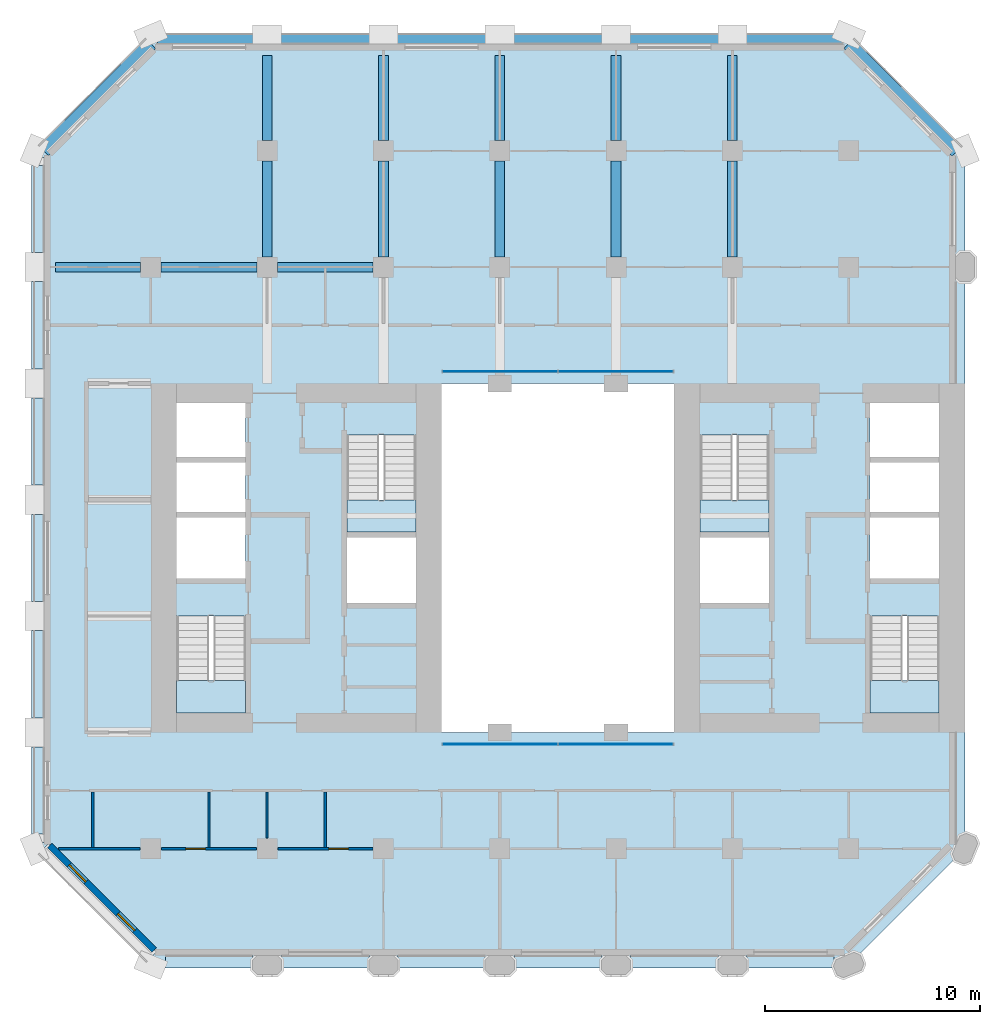
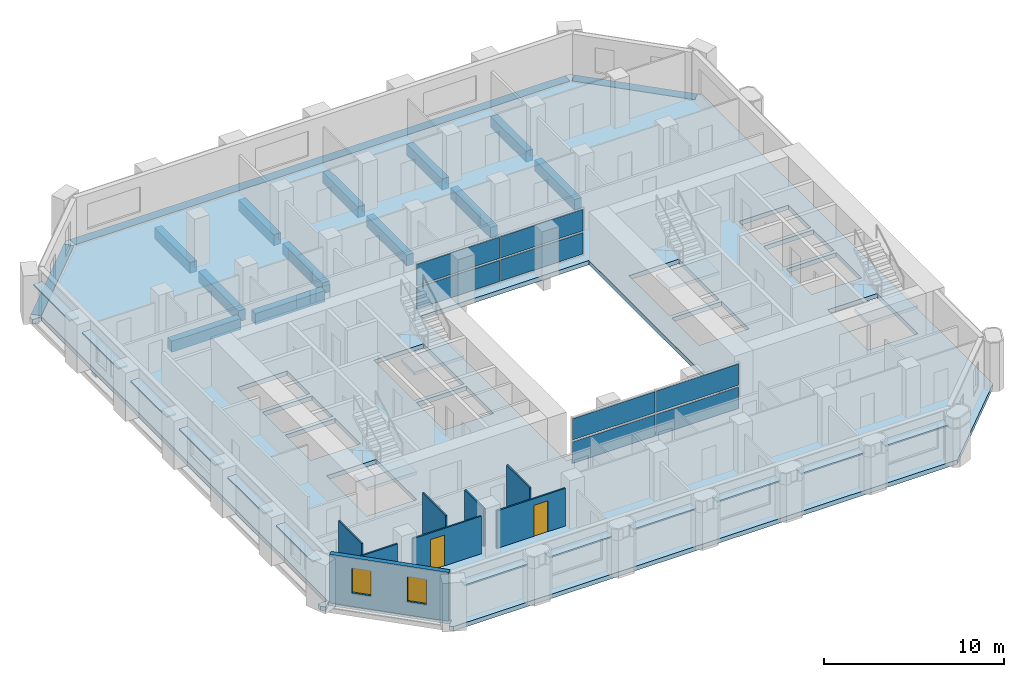
# One storey, part 5 of 13: 20 plates, 16 beams, 8 walls, 5 slabs, 2 doors, 2 windows, 4 openings, 6 elements without a shape of their own.
"""IFC4 building model written with IfcOpenShell, lengths in metres."""

from ifc_helpers import new_model, si_unit, direction, frame, frame_2d, origin, origin_2d, place, context, subcontext, project, spatial, polyline, rectangle, outline, extrude, material, layer, layer_set, material_profile, profile_set, type_object, element, fill, aggregate, save


model = new_model("IFC4")

# Units and contexts
model_context = context("Model", 3, precision=1e-05, world=origin(), true_north=direction((0.0, 1.0)))
body_context = subcontext(model_context, "Body", "Model", "MODEL_VIEW")
ifc_project = project(units=[si_unit("LENGTHUNIT", "METRE"), si_unit("AREAUNIT", "SQUARE_METRE"), si_unit("VOLUMEUNIT", "CUBIC_METRE"), si_unit("PLANEANGLEUNIT", "RADIAN"), si_unit("MASSUNIT", "GRAM", prefix="KILO")], contexts=[model_context])

# Site, building, storey
site_placement = place(None, origin())
site = spatial("IfcSite", under=ifc_project, at=site_placement, CompositionType="ELEMENT")
building_placement = place(site_placement, origin())
building = spatial("IfcBuilding", under=site, at=building_placement, Name="Tabaq Tower and Sports Hall", CompositionType="ELEMENT")
storey_placement = place(building_placement, frame((0.0, 0.0, 122.0)))
storey = spatial("IfcBuildingStorey", under=building, at=storey_placement, Name="L29", CompositionType="ELEMENT", Elevation=122.0)

# Beams
ifc_material_1 = material(Name="Concrete C40/50", Category="concrete")
ifc_material_profile_1 = material_profile(ifc_material_1, rectangle(XDim=0.449951171875, YDim=0.75, at=origin_2d()), Name="CB 450x750")
ifc_profile_set_1 = profile_set([ifc_material_profile_1], Name="Concrete C40/50")
beam_type_1 = type_object("IfcBeamType", Name="PT CANTILEVER BEAM CB 450x750 C40/50", PredefinedType="BEAM", material=ifc_profile_set_1)
beam_1_placement = place(storey_placement, frame((0.97509765625, 37.800048828125, -0.675048828125), z_axis=(1.0, 0.0, 0.0), x_axis=(0.0, 1.0, 0.0)))
element("IfcBeam", 1, at=beam_1_placement, inside=storey, type_object=beam_type_1, Name="Cantilever Beam L29 W7 span 1", PredefinedType="BEAM", context=body_context, shape_type="SweptSolid", body=[
    extrude(rectangle(XDim=0.449951171875, YDim=0.75, at=origin_2d()), origin(), (0.0, 0.0, 1.0), 3.949951171875),
])
beam_2_placement = place(storey_placement, frame((5.875, 37.800048828125, -0.675048828125), z_axis=(1.0, 0.0, 0.0), x_axis=(0.0, 1.0, 0.0)))
element("IfcBeam", 2, at=beam_2_placement, inside=storey, type_object=beam_type_1, Name="Cantilever Beam L29 W7 span 2", PredefinedType="BEAM", context=body_context, shape_type="SweptSolid", body=[
    extrude(rectangle(XDim=0.449951171875, YDim=0.75, at=origin_2d()), origin(), (0.0, 0.0, 1.0), 4.449951171875),
])
beam_3_placement = place(storey_placement, frame((11.27490234375, 37.800048828125, -0.675048828125), z_axis=(1.0, 0.0, 0.0), x_axis=(0.0, 1.0, 0.0)))
element("IfcBeam", 3, at=beam_3_placement, inside=storey, type_object=beam_type_1, Name="Cantilever Beam L29 W7 span 3", PredefinedType="BEAM", context=body_context, shape_type="SweptSolid", body=[
    extrude(rectangle(XDim=0.449951171875, YDim=0.75, at=origin_2d()), origin(), (0.0, 0.0, 1.0), 4.4501953125),
])
beam_4_placement = place(storey_placement, frame((10.800048828125, 47.625, -0.675048828125), z_axis=(0.0, -1.0, 0.0), x_axis=(1.0, 0.0, 0.0)))
element("IfcBeam", 4, at=beam_4_placement, inside=storey, type_object=beam_type_1, Name="Cantilever Beam L29 N2 span 1", PredefinedType="BEAM", context=body_context, shape_type="SweptSolid", body=[
    extrude(rectangle(XDim=0.449951171875, YDim=0.75, at=origin_2d()), origin(), (0.0, 0.0, 1.0), 3.949951171875),
])
beam_5_placement = place(storey_placement, frame((10.800048828125, 42.72509765625, -0.675048828125), z_axis=(0.0, -1.0, 0.0), x_axis=(1.0, 0.0, 0.0)))
element("IfcBeam", 5, at=beam_5_placement, inside=storey, type_object=beam_type_1, Name="Cantilever Beam L29 N2 span 2", PredefinedType="BEAM", context=body_context, shape_type="SweptSolid", body=[
    extrude(rectangle(XDim=0.449951171875, YDim=0.75, at=origin_2d()), origin(), (0.0, 0.0, 1.0), 4.4501953125),
])
beam_6_placement = place(storey_placement, frame((16.199951171875, 47.625, -0.675048828125), z_axis=(0.0, -1.0, 0.0), x_axis=(1.0, 0.0, 0.0)))
element("IfcBeam", 6, at=beam_6_placement, inside=storey, type_object=beam_type_1, Name="Cantilever Beam L29 N3 span 1", PredefinedType="BEAM", context=body_context, shape_type="SweptSolid", body=[
    extrude(rectangle(XDim=0.449951171875, YDim=0.75, at=origin_2d()), origin(), (0.0, 0.0, 1.0), 3.949951171875),
])
beam_7_placement = place(storey_placement, frame((16.199951171875, 42.72509765625, -0.675048828125), z_axis=(0.0, -1.0, 0.0), x_axis=(1.0, 0.0, 0.0)))
element("IfcBeam", 7, at=beam_7_placement, inside=storey, type_object=beam_type_1, Name="Cantilever Beam L29 N3 span 2", PredefinedType="BEAM", context=body_context, shape_type="SweptSolid", body=[
    extrude(rectangle(XDim=0.449951171875, YDim=0.75, at=origin_2d()), origin(), (0.0, 0.0, 1.0), 4.4501953125),
])
beam_8_placement = place(storey_placement, frame((21.60009765625, 47.625, -0.675048828125), z_axis=(0.0, -1.0, 0.0), x_axis=(1.0, 0.0, 0.0)))
element("IfcBeam", 8, at=beam_8_placement, inside=storey, type_object=beam_type_1, Name="Cantilever Beam L29 N4 span 1", PredefinedType="BEAM", context=body_context, shape_type="SweptSolid", body=[
    extrude(rectangle(XDim=0.449951171875, YDim=0.75, at=origin_2d()), origin(), (0.0, 0.0, 1.0), 3.949951171875),
])
beam_9_placement = place(storey_placement, frame((21.60009765625, 42.72509765625, -0.675048828125), z_axis=(0.0, -1.0, 0.0), x_axis=(1.0, 0.0, 0.0)))
element("IfcBeam", 9, at=beam_9_placement, inside=storey, type_object=beam_type_1, Name="Cantilever Beam L29 N4 span 2", PredefinedType="BEAM", context=body_context, shape_type="SweptSolid", body=[
    extrude(rectangle(XDim=0.449951171875, YDim=0.75, at=origin_2d()), origin(), (0.0, 0.0, 1.0), 4.4501953125),
])
beam_10_placement = place(storey_placement, frame((27.0, 47.625, -0.675048828125), z_axis=(0.0, -1.0, 0.0), x_axis=(1.0, 0.0, 0.0)))
element("IfcBeam", 10, at=beam_10_placement, inside=storey, type_object=beam_type_1, Name="Cantilever Beam L29 N5 span 1", PredefinedType="BEAM", context=body_context, shape_type="SweptSolid", body=[
    extrude(rectangle(XDim=0.449951171875, YDim=0.75, at=origin_2d()), origin(), (0.0, 0.0, 1.0), 3.949951171875),
])
beam_11_placement = place(storey_placement, frame((27.0, 42.72509765625, -0.675048828125), z_axis=(0.0, -1.0, 0.0), x_axis=(1.0, 0.0, 0.0)))
element("IfcBeam", 11, at=beam_11_placement, inside=storey, type_object=beam_type_1, Name="Cantilever Beam L29 N5 span 2", PredefinedType="BEAM", context=body_context, shape_type="SweptSolid", body=[
    extrude(rectangle(XDim=0.449951171875, YDim=0.75, at=origin_2d()), origin(), (0.0, 0.0, 1.0), 4.4501953125),
])
beam_12_placement = place(storey_placement, frame((32.39990234375, 47.625, -0.675048828125), z_axis=(0.0, -1.0, 0.0), x_axis=(1.0, 0.0, 0.0)))
element("IfcBeam", 12, at=beam_12_placement, inside=storey, type_object=beam_type_1, Name="Cantilever Beam L29 N6 span 1", PredefinedType="BEAM", context=body_context, shape_type="SweptSolid", body=[
    extrude(rectangle(XDim=0.449951171875, YDim=0.75, at=origin_2d()), origin(), (0.0, 0.0, 1.0), 3.949951171875),
])
beam_13_placement = place(storey_placement, frame((32.39990234375, 42.72509765625, -0.675048828125), z_axis=(0.0, -1.0, 0.0), x_axis=(1.0, 0.0, 0.0)))
element("IfcBeam", 13, at=beam_13_placement, inside=storey, type_object=beam_type_1, Name="Cantilever Beam L29 N6 span 2", PredefinedType="BEAM", context=body_context, shape_type="SweptSolid", body=[
    extrude(rectangle(XDim=0.449951171875, YDim=0.75, at=origin_2d()), origin(), (0.0, 0.0, 1.0), 4.4501953125),
])
ifc_material_2 = material(Name="Concrete C40/50", Category="concrete")
ifc_material_profile_2 = material_profile(ifc_material_2, rectangle(XDim=0.60009765625, YDim=0.300048828125, at=origin_2d()), Name="EB 600x300")
ifc_profile_set_2 = profile_set([ifc_material_profile_2], Name="Concrete C40/50")
beam_type_2 = type_object("IfcBeamType", Name="PT EDGE BEAM EB 600x300 C40/50", PredefinedType="SPANDREL", material=ifc_profile_set_2)
beam_14_placement = place(storey_placement, frame((42.81103515625, 43.16455078125, -0.14990234375), z_axis=(-0.707089559252, 0.707124002701, 0.0), x_axis=(-0.707124002701, -0.707089559252, 0.0)))
element("IfcBeam", 14, at=beam_14_placement, inside=storey, type_object=beam_type_2, Name="Edge Beam L29 1", PredefinedType="SPANDREL", context=body_context, shape_type="SweptSolid", body=[
    extrude(rectangle(XDim=0.60009765625, YDim=0.300048828125, at=origin_2d()), origin(), (0.0, 0.0, 1.0), 7.088134765625),
])
beam_15_placement = place(storey_placement, frame((37.50146484375, 48.300048828125, -0.14990234375), z_axis=(-1.0, 0.0, 0.0), x_axis=(0.0, -1.0, 0.0)))
element("IfcBeam", 15, at=beam_15_placement, inside=storey, type_object=beam_type_2, Name="Edge Beam L29 2", PredefinedType="SPANDREL", context=body_context, shape_type="SweptSolid", body=[
    extrude(rectangle(XDim=0.60009765625, YDim=0.300048828125, at=origin_2d()), origin(), (0.0, 0.0, 1.0), 31.802978515625),
])
beam_16_placement = place(storey_placement, frame((5.401123046875, 48.1767578125, -0.14990234375), z_axis=(-0.707106781187, -0.707106781187, 0.0), x_axis=(0.707106781187, -0.707106781187, 0.0)))
element("IfcBeam", 16, at=beam_16_placement, inside=storey, type_object=beam_type_2, Name="Edge Beam L29 3", PredefinedType="SPANDREL", context=body_context, shape_type="SweptSolid", body=[
    extrude(rectangle(XDim=0.60009765625, YDim=0.300048828125, at=origin_2d()), origin(), (0.0, 0.0, 1.0), 7.03955078125),
])

# Curtain wall, plates
ifc_material_3 = material(Name="Aluminium alloy 6063-T6 framed glazing", Category="aluminium")
curtain_wall_type = type_object("IfcCurtainWallType", Name="CW1 curtain wall", PredefinedType="USERDEFINED", material=ifc_material_3)
curtain_wall_1_placement = place(storey_placement, origin())
curtain_wall_1 = element("IfcCurtainWall", 17, at=curtain_wall_1_placement, inside=storey, type_object=curtain_wall_type, Name="Atrium glazing L29 S", ObjectType="ATRIUM ENCLOSURE", PredefinedType="USERDEFINED")
ifc_material_4 = material(Name="Clear low-emissivity glass 28 mm", Category="glass")
ifc_layer_1 = layer(ifc_material_4, 0.028076171875)
ifc_layer_set_1 = layer_set([ifc_layer_1], Name="CW1 glass panel 28")
plate_type_1 = type_object("IfcPlateType", Name="CW1 glass panel 28", PredefinedType="CURTAIN_PANEL", material=ifc_layer_set_1)
plate_1_placement = place(storey_placement, frame((21.614990234375, 15.64990234375, 0.14013671875), z_axis=(0.0, 0.0, 1.0), x_axis=(1.0, 0.0, 0.0)))
plate_1 = element("IfcPlate", 18, at=plate_1_placement, type_object=plate_type_1, Name="CW1 panel 1.1", PredefinedType="CURTAIN_PANEL", context=body_context, shape_type="SweptSolid", body=[
    extrude(rectangle(XDim=5.31005859375, YDim=0.028076171875, at=origin_2d()), origin(), (0.0, 0.0, 1.0), 1.43994140625),
])
plate_2_placement = place(storey_placement, frame((21.614990234375, 15.64990234375, 1.719970703125), z_axis=(0.0, 0.0, 1.0), x_axis=(1.0, 0.0, 0.0)))
plate_2 = element("IfcPlate", 19, at=plate_2_placement, type_object=plate_type_1, Name="CW1 panel 1.2", PredefinedType="CURTAIN_PANEL", context=body_context, shape_type="SweptSolid", body=[
    extrude(rectangle(XDim=5.31005859375, YDim=0.028076171875, at=origin_2d()), origin(), (0.0, 0.0, 1.0), 1.43994140625),
])
plate_3_placement = place(storey_placement, frame((26.985107421875, 15.64990234375, 0.14013671875), z_axis=(0.0, 0.0, 1.0), x_axis=(1.0, 0.0, 0.0)))
plate_3 = element("IfcPlate", 20, at=plate_3_placement, type_object=plate_type_1, Name="CW1 panel 2.1", PredefinedType="CURTAIN_PANEL", context=body_context, shape_type="SweptSolid", body=[
    extrude(rectangle(XDim=5.31005859375, YDim=0.028076171875, at=origin_2d()), origin(), (0.0, 0.0, 1.0), 1.43994140625),
])
plate_4_placement = place(storey_placement, frame((26.985107421875, 15.64990234375, 1.719970703125), z_axis=(0.0, 0.0, 1.0), x_axis=(1.0, 0.0, 0.0)))
plate_4 = element("IfcPlate", 21, at=plate_4_placement, type_object=plate_type_1, Name="CW1 panel 2.2", PredefinedType="CURTAIN_PANEL", context=body_context, shape_type="SweptSolid", body=[
    extrude(rectangle(XDim=5.31005859375, YDim=0.028076171875, at=origin_2d()), origin(), (0.0, 0.0, 1.0), 1.43994140625),
])
aggregate(curtain_wall_1, [plate_1, plate_2, plate_3, plate_4])

curtain_wall_2_placement = place(storey_placement, origin())
curtain_wall_2 = element("IfcCurtainWall", 22, at=curtain_wall_2_placement, inside=storey, type_object=curtain_wall_type, Name="Atrium glazing L29 N", ObjectType="ATRIUM ENCLOSURE", PredefinedType="USERDEFINED")
plate_5_placement = place(storey_placement, frame((21.614990234375, 32.949951171875, 0.14013671875), z_axis=(0.0, 0.0, 1.0), x_axis=(1.0, 0.0, 0.0)))
plate_5 = element("IfcPlate", 23, at=plate_5_placement, type_object=plate_type_1, Name="CW1 panel 1.1", PredefinedType="CURTAIN_PANEL", context=body_context, shape_type="SweptSolid", body=[
    extrude(rectangle(XDim=5.31005859375, YDim=0.028076171875, at=origin_2d()), origin(), (0.0, 0.0, 1.0), 1.43994140625),
])
plate_6_placement = place(storey_placement, frame((21.614990234375, 32.949951171875, 1.719970703125), z_axis=(0.0, 0.0, 1.0), x_axis=(1.0, 0.0, 0.0)))
plate_6 = element("IfcPlate", 24, at=plate_6_placement, type_object=plate_type_1, Name="CW1 panel 1.2", PredefinedType="CURTAIN_PANEL", context=body_context, shape_type="SweptSolid", body=[
    extrude(rectangle(XDim=5.31005859375, YDim=0.028076171875, at=origin_2d()), origin(), (0.0, 0.0, 1.0), 1.43994140625),
])
plate_7_placement = place(storey_placement, frame((26.985107421875, 32.949951171875, 0.14013671875), z_axis=(0.0, 0.0, 1.0), x_axis=(1.0, 0.0, 0.0)))
plate_7 = element("IfcPlate", 25, at=plate_7_placement, type_object=plate_type_1, Name="CW1 panel 2.1", PredefinedType="CURTAIN_PANEL", context=body_context, shape_type="SweptSolid", body=[
    extrude(rectangle(XDim=5.31005859375, YDim=0.028076171875, at=origin_2d()), origin(), (0.0, 0.0, 1.0), 1.43994140625),
])
plate_8_placement = place(storey_placement, frame((26.985107421875, 32.949951171875, 1.719970703125), z_axis=(0.0, 0.0, 1.0), x_axis=(1.0, 0.0, 0.0)))
plate_8 = element("IfcPlate", 26, at=plate_8_placement, type_object=plate_type_1, Name="CW1 panel 2.2", PredefinedType="CURTAIN_PANEL", context=body_context, shape_type="SweptSolid", body=[
    extrude(rectangle(XDim=5.31005859375, YDim=0.028076171875, at=origin_2d()), origin(), (0.0, 0.0, 1.0), 1.43994140625),
])
aggregate(curtain_wall_2, [plate_5, plate_6, plate_7, plate_8])

# Stair, slab
ifc_material_5 = material(Name="Concrete C40/50", Category="concrete")
stair_type = type_object("IfcStairType", Name="Exit stair", PredefinedType="HALF_TURN_STAIR", material=ifc_material_5)
stair_1_placement = place(storey_placement, origin())
stair_1 = element("IfcStair", 27, at=stair_1_placement, inside=storey, type_object=stair_type, Name="L29 Exit stair ST1", PredefinedType="HALF_TURN_STAIR")
ifc_material_6 = material(Name="Concrete C40/50", Category="concrete")
ifc_layer_2 = layer(ifc_material_6, 0.199951171875)
ifc_layer_set_2 = layer_set([ifc_layer_2], Name="Exit stair landing")
slab_type_1 = type_object("IfcSlabType", Name="Exit stair landing", PredefinedType="LANDING", material=ifc_layer_set_2)
slab_1_placement = place(storey_placement, frame((0.0, 0.0, 1.699951171875)))
slab_1 = element("IfcSlab", 28, at=slab_1_placement, type_object=slab_type_1, Name="ST1 landing 1", PredefinedType="LANDING", context=body_context, shape_type="SweptSolid", body=[
    extrude(outline(polyline([(6.60009765625, 18.60009765625), (6.60009765625, 17.10009765625), (9.800048828125, 17.10009765625), (9.800048828125, 18.60009765625), (6.60009765625, 18.60009765625)])), origin(), (0.0, 0.0, 1.0), 0.199951171875),
])
aggregate(stair_1, [slab_1])

stair_2_placement = place(storey_placement, origin())
stair_2 = element("IfcStair", 29, at=stair_2_placement, inside=storey, type_object=stair_type, Name="L29 Exit stair ST2", PredefinedType="HALF_TURN_STAIR")
slab_2_placement = place(storey_placement, frame((0.0, 0.0, 1.699951171875)))
slab_2 = element("IfcSlab", 30, at=slab_2_placement, type_object=slab_type_1, Name="ST2 landing 1", PredefinedType="LANDING", context=body_context, shape_type="SweptSolid", body=[
    extrude(outline(polyline([(14.5, 27.0), (14.5, 25.5), (17.699951171875, 25.5), (17.699951171875, 27.0), (14.5, 27.0)])), origin(), (0.0, 0.0, 1.0), 0.199951171875),
])
aggregate(stair_2, [slab_2])

stair_3_placement = place(storey_placement, origin())
stair_3 = element("IfcStair", 31, at=stair_3_placement, inside=storey, type_object=stair_type, Name="L29 Exit stair ST3", PredefinedType="HALF_TURN_STAIR")
slab_3_placement = place(storey_placement, frame((0.0, 0.0, 1.699951171875)))
slab_3 = element("IfcSlab", 32, at=slab_3_placement, type_object=slab_type_1, Name="ST3 landing 1", PredefinedType="LANDING", context=body_context, shape_type="SweptSolid", body=[
    extrude(outline(polyline([(38.800048828125, 18.60009765625), (38.800048828125, 17.10009765625), (42.0, 17.10009765625), (42.0, 18.60009765625), (38.800048828125, 18.60009765625)])), origin(), (0.0, 0.0, 1.0), 0.199951171875),
])
aggregate(stair_3, [slab_3])

stair_4_placement = place(storey_placement, origin())
stair_4 = element("IfcStair", 33, at=stair_4_placement, inside=storey, type_object=stair_type, Name="L29 Exit stair ST4", PredefinedType="HALF_TURN_STAIR")
slab_4_placement = place(storey_placement, frame((0.0, 0.0, 1.699951171875)))
slab_4 = element("IfcSlab", 34, at=slab_4_placement, type_object=slab_type_1, Name="ST4 landing 1", PredefinedType="LANDING", context=body_context, shape_type="SweptSolid", body=[
    extrude(outline(polyline([(30.89990234375, 27.0), (30.89990234375, 25.5), (34.10009765625, 25.5), (34.10009765625, 27.0), (30.89990234375, 27.0)])), origin(), (0.0, 0.0, 1.0), 0.199951171875),
])
aggregate(stair_4, [slab_4])

# Slab
ifc_material_7 = material(Name="Concrete C40/50", Category="concrete")
ifc_layer_3 = layer(ifc_material_7, 0.300048828125)
ifc_layer_set_3 = layer_set([ifc_layer_3], Name="PT FLOOR SLAB 300 C40/50")
slab_type_2 = type_object("IfcSlabType", Name="PT FLOOR SLAB 300 C40/50", PredefinedType="FLOOR", material=ifc_layer_set_3)
slab_5_placement = place(storey_placement, frame((0.0, 0.0, -0.300048828125)))
element("IfcSlab", 35, at=slab_5_placement, inside=storey, type_object=slab_type_2, Name="Floor Slab L29", PredefinedType="FLOOR", context=body_context, shape_type="SweptSolid", body=[
    extrude(outline(polyline([(0.0, 11.0986328125), (0.0, 10.800048828125), (0.211181640625, 10.5888671875), (0.63525390625, 11.01318359375), (5.6474609375, 6.0009765625), (5.57666015625, 5.930419921875), (5.22314453125, 5.57666015625), (5.39990234375, 5.39990234375), (37.800048828125, 5.39990234375), (43.199951171875, 10.800048828125), (43.199951171875, 43.199951171875), (43.023193359375, 43.376708984375), (42.669677734375, 43.023193359375), (42.598876953125, 42.952392578125), (37.5869140625, 47.964599609375), (37.657470703125, 48.035400390625), (38.010986328125, 48.388916015625), (37.800048828125, 48.60009765625), (37.50146484375, 48.60009765625), (37.50146484375, 48.10009765625), (37.50146484375, 48.0), (5.698486328125, 48.0), (5.698486328125, 48.10009765625), (5.698486328125, 48.60009765625), (5.39990234375, 48.60009765625), (5.18896484375, 48.388916015625), (5.54248046875, 48.035400390625), (5.61328125, 47.964599609375), (0.63525390625, 42.98681640625), (0.211181640625, 43.4111328125), (0.0, 43.199951171875), (0.0, 42.9013671875), (0.5, 42.9013671875), (0.60009765625, 42.9013671875), (0.60009765625, 11.0986328125), (0.5, 11.0986328125), (0.0, 11.0986328125)]), holes=[polyline([(6.60009765625, 21.599365234375), (9.800048828125, 21.599365234375), (9.800048828125, 17.10009765625), (6.60009765625, 17.10009765625), (6.60009765625, 21.599365234375)]), polyline([(17.699951171875, 25.25), (17.699951171875, 22.199951171875), (14.5, 22.199951171875), (14.5, 25.25), (17.699951171875, 25.25)]), polyline([(18.89990234375, 32.39990234375), (29.699951171875, 32.39990234375), (29.699951171875, 16.199951171875), (18.89990234375, 16.199951171875), (18.89990234375, 32.39990234375)]), polyline([(6.60009765625, 26.175048828125), (9.800048828125, 26.175048828125), (9.800048828125, 23.35009765625), (6.60009765625, 23.35009765625), (6.60009765625, 26.175048828125)]), polyline([(9.800048828125, 28.72509765625), (9.800048828125, 26.425048828125), (6.60009765625, 26.425048828125), (6.60009765625, 28.72509765625), (9.800048828125, 28.72509765625)]), polyline([(17.699951171875, 29.99951171875), (17.699951171875, 25.5), (14.5, 25.5), (14.5, 29.99951171875), (17.699951171875, 29.99951171875)]), polyline([(6.60009765625, 31.5), (9.800048828125, 31.5), (9.800048828125, 28.97509765625), (6.60009765625, 28.97509765625), (6.60009765625, 31.5)]), polyline([(42.0, 21.599365234375), (42.0, 17.10009765625), (38.800048828125, 17.10009765625), (38.800048828125, 21.599365234375), (42.0, 21.599365234375)]), polyline([(34.10009765625, 25.25), (34.10009765625, 22.199951171875), (30.89990234375, 22.199951171875), (30.89990234375, 25.25), (34.10009765625, 25.25)]), polyline([(42.0, 26.175048828125), (42.0, 23.35009765625), (38.800048828125, 23.35009765625), (38.800048828125, 26.175048828125), (42.0, 26.175048828125)]), polyline([(42.0, 28.72509765625), (42.0, 26.425048828125), (38.800048828125, 26.425048828125), (38.800048828125, 28.72509765625), (42.0, 28.72509765625)]), polyline([(34.10009765625, 29.99951171875), (34.10009765625, 25.5), (30.89990234375, 25.5), (30.89990234375, 29.99951171875), (34.10009765625, 29.99951171875)]), polyline([(42.0, 31.5), (42.0, 28.97509765625), (38.800048828125, 28.97509765625), (38.800048828125, 31.5), (42.0, 31.5)])]), origin(), (0.0, 0.0, 1.0), 0.300048828125),
])

# Plates
ifc_material_8 = material(Name="White precast concrete C60/75 blade", Category="concrete")
ifc_layer_4 = layer(ifc_material_8, 0.10009765625)
ifc_layer_set_4 = layer_set([ifc_layer_4], Name="White precast concrete C60/75 sunshade 100")
plate_type_2 = type_object("IfcPlateType", Name="White precast concrete C60/75 sunshade 100", PredefinedType="USERDEFINED", material=ifc_layer_set_4)
for number, where, z_axis, x_axis, name in (
    (36, (8.10009765625, 5.550048828125, 2.599853515625), (0.0, 0.0, 1.0), (1.0, 0.0, 0.0), "Sunshade L29 S"),
    (37, (13.5, 5.550048828125, 2.599853515625), (0.0, 0.0, 1.0), (1.0, 0.0, 0.0), "Sunshade L29 S"),
    (38, (18.89990234375, 5.550048828125, 2.599853515625), (0.0, 0.0, 1.0), (1.0, 0.0, 0.0), "Sunshade L29 S"),
    (39, (24.300048828125, 5.550048828125, 2.599853515625), (0.0, 0.0, 1.0), (1.0, 0.0, 0.0), "Sunshade L29 S"),
    (40, (29.699951171875, 5.550048828125, 2.599853515625), (0.0, 0.0, 1.0), (1.0, 0.0, 0.0), "Sunshade L29 S"),
    (41, (35.10009765625, 5.550048828125, 2.599853515625), (0.0, 0.0, 1.0), (1.0, 0.0, 0.0), "Sunshade L29 S"),
    (42, (0.14990234375, 40.5, 2.599853515625), (0.0, 0.0, 1.0), (0.0, -1.0, 0.0), "Sunshade L29 W"),
    (43, (0.14990234375, 35.10009765625, 2.599853515625), (0.0, 0.0, 1.0), (0.0, -1.0, 0.0), "Sunshade L29 W"),
    (44, (0.14990234375, 29.699951171875, 2.599853515625), (0.0, 0.0, 1.0), (0.0, -1.0, 0.0), "Sunshade L29 W"),
    (45, (0.14990234375, 24.300048828125, 2.599853515625), (0.0, 0.0, 1.0), (0.0, -1.0, 0.0), "Sunshade L29 W"),
    (46, (0.14990234375, 18.89990234375, 2.599853515625), (0.0, 0.0, 1.0), (0.0, -1.0, 0.0), "Sunshade L29 W"),
    (47, (0.14990234375, 13.5, 2.599853515625), (0.0, 0.0, 1.0), (0.0, -1.0, 0.0), "Sunshade L29 W"),
):
    element("IfcPlate", number, at=place(storey_placement, frame(where, z_axis=z_axis, x_axis=x_axis)), inside=storey, type_object=plate_type_2, Name=name, ObjectType="SUNSHADE", PredefinedType="USERDEFINED", context=body_context, shape_type="SweptSolid", body=[
        extrude(rectangle(XDim=4.050048828125, YDim=0.60009765625, at=origin_2d()), origin(), (0.0, 0.0, 1.0), 0.10009765625),
    ])

# Walls
ifc_material_9 = material(Name="Gypsum board on steel studs", Category="steel")
ifc_layer_5 = layer(ifc_material_9, 0.10009765625)
ifc_layer_set_5 = layer_set([ifc_layer_5], Name="Partition 100 Gypsum board")
wall_type_1 = type_object("IfcWallType", Name="Partition 100 Gypsum board", PredefinedType="PARTITIONING", material=ifc_layer_set_5)
wall_1_placement = place(storey_placement, frame((2.699951171875, 10.85009765625, 0.0), z_axis=(0.0, 0.0, 1.0), x_axis=(0.0, 1.0, 0.0)))
element("IfcWall", 48, at=wall_1_placement, inside=storey, type_object=wall_type_1, Name="Partition wall L29", PredefinedType="PARTITIONING", context=body_context, shape_type="SweptSolid", body=[
    extrude(rectangle(XDim=2.574951171875, YDim=0.10009765625, at=frame_2d((1.28759765625, 0.0))), origin(), (0.0, 0.0, 1.0), 3.300048828125),
])
wall_2_placement = place(storey_placement, frame((1.112060546875, 10.800048828125, 0.0), z_axis=(0.0, 0.0, 1.0), x_axis=(1.0, 0.0, 0.0)))
element("IfcWall", 49, at=wall_2_placement, inside=storey, type_object=wall_type_1, Name="Partition wall L29", PredefinedType="PARTITIONING", context=body_context, shape_type="SweptSolid", body=[
    extrude(rectangle(XDim=3.79296875, YDim=0.10009765625, at=frame_2d((1.896484375, 0.0))), origin(), (0.0, 0.0, 1.0), 2.550048828125),
])
wall_3_placement = place(storey_placement, frame((8.10009765625, 10.85009765625, 0.0), z_axis=(0.0, 0.0, 1.0), x_axis=(0.0, 1.0, 0.0)))
element("IfcWall", 50, at=wall_3_placement, inside=storey, type_object=wall_type_1, Name="Partition wall L29", PredefinedType="PARTITIONING", context=body_context, shape_type="SweptSolid", body=[
    extrude(rectangle(XDim=2.574951171875, YDim=0.10009765625, at=frame_2d((1.28759765625, 0.0))), origin(), (0.0, 0.0, 1.0), 3.300048828125),
])

# Wall, opening, door
wall_4_placement = place(storey_placement, frame((5.89501953125, 10.800048828125, 0.0), z_axis=(0.0, 0.0, 1.0), x_axis=(1.0, 0.0, 0.0)))
wall_4 = element("IfcWall", 51, at=wall_4_placement, inside=storey, type_object=wall_type_1, Name="Partition wall L29", PredefinedType="PARTITIONING", context=body_context, shape_type="SweptSolid", body=[
    extrude(rectangle(XDim=4.409912109375, YDim=0.10009765625, at=frame_2d((2.205078125, 0.0))), origin(), (0.0, 0.0, 1.0), 2.550048828125),
])
opening_1_placement = place(wall_4_placement, frame((1.135009765625, 0.0, 0.0)))
opening_1 = element("IfcOpeningElement", 52, at=opening_1_placement, cuts=wall_4, Name="Opening L29-018", PredefinedType="OPENING", context=body_context, shape_type="SweptSolid", body=[
    extrude(rectangle(XDim=0.89990234375, YDim=2.10009765625, at=frame_2d((0.449951171875, 1.050048828125))), frame((0.0, 0.050048828125, 0.0), z_axis=(0.0, -1.0, 0.0), x_axis=(1.0, 0.0, 0.0)), (0.0, 0.0, 1.0), 0.10009765625),
])
ifc_material_10 = material(Name="Timber leaf in steel frame", Category="steel")
door_type = type_object("IfcDoorType", Name="Internal door 900 left hand", OperationType="SINGLE_SWING_LEFT", PredefinedType="DOOR", material=ifc_material_10)
door_1_placement = place(opening_1_placement, origin())
door_1 = element("IfcDoor", 53, at=door_1_placement, inside=storey, type_object=door_type, Name="Internal door L29-018", OperationType="SINGLE_SWING_LEFT", OverallHeight=2.10009765625, OverallWidth=0.89990234375, PredefinedType="DOOR", context=body_context, shape_type="SweptSolid", body=[
    extrude(rectangle(XDim=0.89990234375, YDim=2.10009765625, at=frame_2d((0.449951171875, 1.050048828125))), frame((0.0, 0.02490234375, 0.0), z_axis=(0.0, -1.0, 0.0), x_axis=(1.0, 0.0, 0.0)), (0.0, 0.0, 1.0), 0.050048828125),
])
fill(opening_1, door_1)

# Walls
wall_5_placement = place(storey_placement, frame((10.800048828125, 11.294921875, 0.0), z_axis=(0.0, 0.0, 1.0), x_axis=(0.0, 1.0, 0.0)))
element("IfcWall", 54, at=wall_5_placement, inside=storey, type_object=wall_type_1, Name="Partition wall L29", PredefinedType="PARTITIONING", context=body_context, shape_type="SweptSolid", body=[
    extrude(rectangle(XDim=2.130126953125, YDim=0.10009765625, at=frame_2d((1.06494140625, 0.0))), origin(), (0.0, 0.0, 1.0), 2.550048828125),
])
wall_6_placement = place(storey_placement, frame((13.5, 10.85009765625, 0.0), z_axis=(0.0, 0.0, 1.0), x_axis=(0.0, 1.0, 0.0)))
element("IfcWall", 55, at=wall_6_placement, inside=storey, type_object=wall_type_1, Name="Partition wall L29", PredefinedType="PARTITIONING", context=body_context, shape_type="SweptSolid", body=[
    extrude(rectangle(XDim=2.574951171875, YDim=0.10009765625, at=frame_2d((1.28759765625, 0.0))), origin(), (0.0, 0.0, 1.0), 3.300048828125),
])

# Wall, opening, door
wall_7_placement = place(storey_placement, frame((11.294921875, 10.800048828125, 0.0), z_axis=(0.0, 0.0, 1.0), x_axis=(1.0, 0.0, 0.0)))
wall_7 = element("IfcWall", 56, at=wall_7_placement, inside=storey, type_object=wall_type_1, Name="Partition wall L29", PredefinedType="PARTITIONING", context=body_context, shape_type="SweptSolid", body=[
    extrude(rectangle(XDim=4.41015625, YDim=0.10009765625, at=frame_2d((2.205078125, 0.0))), origin(), (0.0, 0.0, 1.0), 2.550048828125),
])
opening_2_placement = place(wall_7_placement, frame((2.375, 0.0, 0.0)))
opening_2 = element("IfcOpeningElement", 57, at=opening_2_placement, cuts=wall_7, Name="Opening L29-035", PredefinedType="OPENING", context=body_context, shape_type="SweptSolid", body=[
    extrude(rectangle(XDim=0.89990234375, YDim=2.10009765625, at=frame_2d((0.449951171875, 1.050048828125))), frame((0.0, 0.050048828125, 0.0), z_axis=(0.0, -1.0, 0.0), x_axis=(1.0, 0.0, 0.0)), (0.0, 0.0, 1.0), 0.10009765625),
])
door_2_placement = place(opening_2_placement, origin())
door_2 = element("IfcDoor", 58, at=door_2_placement, inside=storey, type_object=door_type, Name="Internal door L29-035", OperationType="SINGLE_SWING_LEFT", OverallHeight=2.10009765625, OverallWidth=0.89990234375, PredefinedType="DOOR", context=body_context, shape_type="SweptSolid", body=[
    extrude(rectangle(XDim=0.89990234375, YDim=2.10009765625, at=frame_2d((0.449951171875, 1.050048828125))), frame((0.0, 0.02490234375, 0.0), z_axis=(0.0, -1.0, 0.0), x_axis=(1.0, 0.0, 0.0)), (0.0, 0.0, 1.0), 0.050048828125),
])
fill(opening_2, door_2)

# Wall, openings, windows
ifc_material_11 = material(Name="White precast concrete C60/75", Category="concrete")
ifc_layer_6 = layer(ifc_material_11, 0.300048828125)
ifc_layer_set_6 = layer_set([ifc_layer_6], Name="White precast concrete C60/75 external wall 300")
wall_type_2 = type_object("IfcWallType", Name="White precast concrete C60/75 external wall 300", PredefinedType="SOLIDWALL", material=ifc_layer_set_6)
wall_8_placement = place(storey_placement, frame((0.698974609375, 10.949462890625, 0.0), z_axis=(0.0, 0.0, 1.0), x_axis=(0.707106781187, -0.707106781187, 0.0)))
wall_8 = element("IfcWall", 59, at=wall_8_placement, inside=storey, type_object=wall_type_2, Name="External Wall L29 SW", PredefinedType="SOLIDWALL", context=body_context, shape_type="SweptSolid", body=[
    extrude(rectangle(XDim=6.85986328125, YDim=0.300048828125, at=frame_2d((3.429931640625, 0.0))), origin(), (0.0, 0.0, 1.0), 3.300048828125),
])
opening_3_placement = place(wall_8_placement, frame((1.27978515625, 0.0, 0.89990234375)))
opening_3 = element("IfcOpeningElement", 60, at=opening_3_placement, cuts=wall_8, Name="Opening W1B", PredefinedType="OPENING", context=body_context, shape_type="SweptSolid", body=[
    extrude(rectangle(XDim=1.10009765625, YDim=1.699951171875, at=frame_2d((0.550048828125, 0.85009765625))), frame((0.0, 0.16015625, 0.0), z_axis=(0.0, -1.0, 0.0), x_axis=(1.0, 0.0, 0.0)), (0.0, 0.0, 1.0), 0.320068359375),
])
opening_4_placement = place(wall_8_placement, frame((4.479736328125, 0.0, 0.89990234375)))
opening_4 = element("IfcOpeningElement", 61, at=opening_4_placement, cuts=wall_8, Name="Opening W1B", PredefinedType="OPENING", context=body_context, shape_type="SweptSolid", body=[
    extrude(rectangle(XDim=1.10009765625, YDim=1.699951171875, at=frame_2d((0.550048828125, 0.85009765625))), frame((0.0, 0.16015625, 0.0), z_axis=(0.0, -1.0, 0.0), x_axis=(1.0, 0.0, 0.0)), (0.0, 0.0, 1.0), 0.320068359375),
])
ifc_material_12 = material(Name="Aluminium framed clear glazing", Category="aluminium")
window_type = type_object("IfcWindowType", Name="Window W1B", PartitioningType="SINGLE_PANEL", PredefinedType="WINDOW", material=ifc_material_12)
window_1_placement = place(opening_3_placement, origin())
window_1 = element("IfcWindow", 62, at=window_1_placement, inside=storey, type_object=window_type, Name="Window W1B L29", OverallHeight=1.699951171875, OverallWidth=1.10009765625, PartitioningType="SINGLE_PANEL", PredefinedType="WINDOW", context=body_context, shape_type="SweptSolid", body=[
    extrude(rectangle(XDim=1.10009765625, YDim=1.699951171875, at=frame_2d((0.550048828125, 0.85009765625))), frame((0.0, 0.030029296875, 0.0), z_axis=(0.0, -1.0, 0.0), x_axis=(1.0, 0.0, 0.0)), (0.0, 0.0, 1.0), 0.06005859375),
])
fill(opening_3, window_1)
window_2_placement = place(opening_4_placement, origin())
window_2 = element("IfcWindow", 63, at=window_2_placement, inside=storey, type_object=window_type, Name="Window W1B L29", OverallHeight=1.699951171875, OverallWidth=1.10009765625, PartitioningType="SINGLE_PANEL", PredefinedType="WINDOW", context=body_context, shape_type="SweptSolid", body=[
    extrude(rectangle(XDim=1.10009765625, YDim=1.699951171875, at=frame_2d((0.550048828125, 0.85009765625))), frame((0.0, 0.030029296875, 0.0), z_axis=(0.0, -1.0, 0.0), x_axis=(1.0, 0.0, 0.0)), (0.0, 0.0, 1.0), 0.06005859375),
])
fill(opening_4, window_2)

save(model, "model.ifc")
